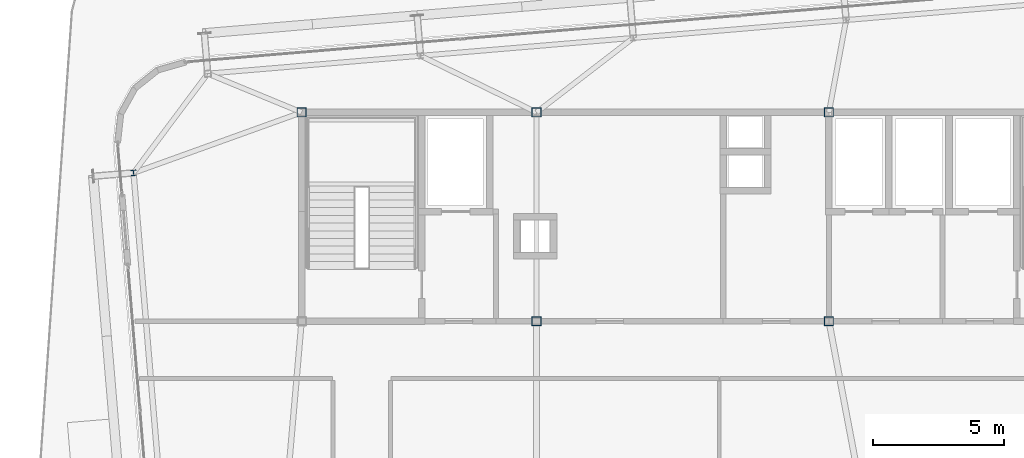
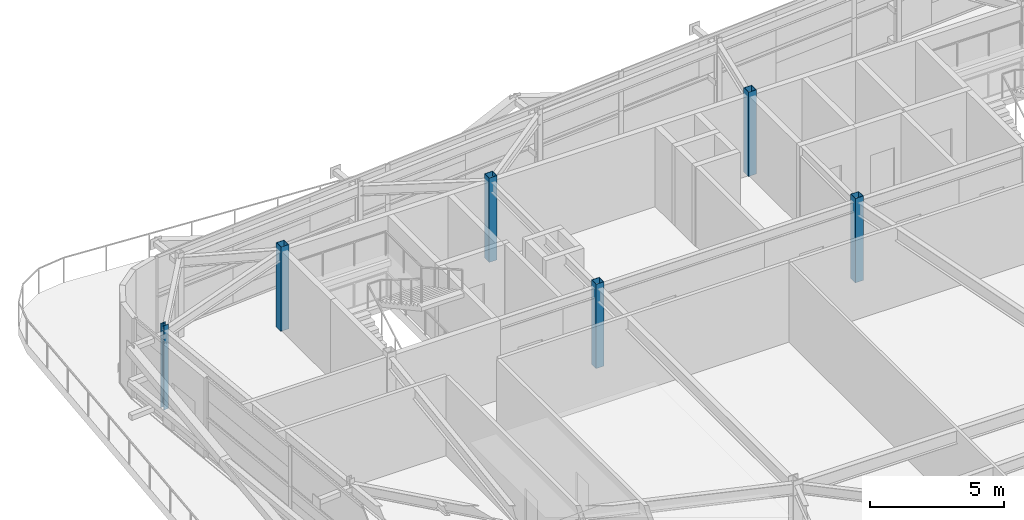
# One storey, part 2 of 38: 6 columns.
"""IFC4 building model written with IfcOpenShell, lengths in metres."""

from ifc_helpers import new_model, si_unit, direction, frame, origin, origin_2d, place, context, subcontext, project, spatial, hollow_rectangle, i_section, extrude, source, transform, mapped, material, material_profile, profile_set, type_object, element, save


model = new_model("IFC4")

# Units and contexts
model_context = context("Model", 3, precision=1e-05, world=origin(), true_north=direction((0.0, 1.0)))
body_context = subcontext(model_context, "Body", "Model", "MODEL_VIEW")
ifc_project = project(units=[si_unit("LENGTHUNIT", "METRE"), si_unit("AREAUNIT", "SQUARE_METRE"), si_unit("VOLUMEUNIT", "CUBIC_METRE"), si_unit("PLANEANGLEUNIT", "RADIAN"), si_unit("MASSUNIT", "GRAM", prefix="KILO")], contexts=[model_context])

# Site, building, storey
site_placement = place(None, origin())
site = spatial("IfcSite", under=ifc_project, at=site_placement, CompositionType="ELEMENT")
building_placement = place(site_placement, origin())
building = spatial("IfcBuilding", under=site, at=building_placement, Name="Taldren Reach Tower", CompositionType="ELEMENT")
storey_placement = place(building_placement, frame((0.0, 0.0, 168.699951171875)))
storey = spatial("IfcBuildingStorey", under=building, at=storey_placement, Name="L51", CompositionType="ELEMENT", Elevation=168.699951171875)

# Columns
ifc_material_1 = material(Name="Steel Gr 450 (C450L0)", Category="steel")
ifc_material_profile_1 = material_profile(ifc_material_1, hollow_rectangle(XDim=0.35009765625, YDim=0.35009765625, WallThickness=0.01611328125, at=origin_2d()), Name="350x350x16.0SHS")
ifc_profile_set_1 = profile_set([ifc_material_profile_1], Name="Steel Gr 450 (C450L0)")
column_type_1 = type_object("IfcColumnType", Name="COL-SHS350", PredefinedType="COLUMN", material=ifc_profile_set_1)
shared_shape_1 = source(origin(), body_context, "Body", "SweptSolid", [
    extrude(hollow_rectangle(XDim=0.35009765625, YDim=0.35009765625, WallThickness=0.01611328125, at=origin_2d()), origin(), (0.0, 0.0, 1.0), 3.85009765625),
])
for number, where, z_axis, x_axis, name in (
    (1, (28.0, 24.0, 0.0), (0.0, 0.0, 1.0), (1.0, 0.0, 0.0), "Mega column MC-C2 L51"),
    (2, (39.199951171875, 24.0, 0.0), (0.0, 0.0, 1.0), (1.0, 0.0, 0.0), "Mega column MC-C3 L51"),
    (3, (19.0, 32.0, 0.0), (0.0, 0.0, 1.0), (1.0, 0.0, 0.0), "Mega column MC-C5 L51"),
    (4, (28.0, 32.0, 0.0), (0.0, 0.0, 1.0), (1.0, 0.0, 0.0), "Mega column MC-C6 L51"),
    (5, (39.199951171875, 32.0, 0.0), (0.0, 0.0, 1.0), (1.0, 0.0, 0.0), "Mega column MC-C7 L51"),
):
    element("IfcColumn", number, at=place(storey_placement, frame(where, z_axis=z_axis, x_axis=x_axis)), inside=storey, type_object=column_type_1, Name=name, PredefinedType="COLUMN", context=body_context, shape_type="MappedRepresentation", body=[
        mapped(shared_shape_1, transform((0.0, 0.0, 0.0), scale=1.0)),
    ])
ifc_material_2 = material(Name="Steel Gr 350 (350PLUS)", Category="steel")
ifc_material_profile_2 = material_profile(ifc_material_2, i_section(OverallWidth=0.205078125, OverallDepth=0.2099609375, WebThickness=0.00927734375, FlangeThickness=0.01416015625, at=origin_2d()), Name="200UC59.5")
ifc_profile_set_2 = profile_set([ifc_material_profile_2], Name="Steel Gr 350 (350PLUS)")
column_type_2 = type_object("IfcColumnType", Name="COL-UC200", PredefinedType="COLUMN", material=ifc_profile_set_2)
shared_shape_2 = source(origin(), body_context, "Body", "SweptSolid", [
    extrude(i_section(OverallWidth=0.205078125, OverallDepth=0.2099609375, WebThickness=0.00927734375, FlangeThickness=0.01416015625, at=origin_2d()), origin(), (0.0, 0.0, 1.0), 3.85009765625),
])
column_placement = place(storey_placement, frame((12.56201171875, 29.682373046875, 0.0), z_axis=(0.0, 0.0, 1.0), x_axis=(0.99649285925, 0.083677843332, 0.0)))
element("IfcColumn", 6, at=column_placement, inside=storey, type_object=column_type_2, Name="Block B4 perimeter column W3 L51", PredefinedType="COLUMN", context=body_context, shape_type="MappedRepresentation", body=[
    mapped(shared_shape_2, transform((0.0, 0.0, 0.0), scale=1.0)),
])

save(model, "model.ifc")
